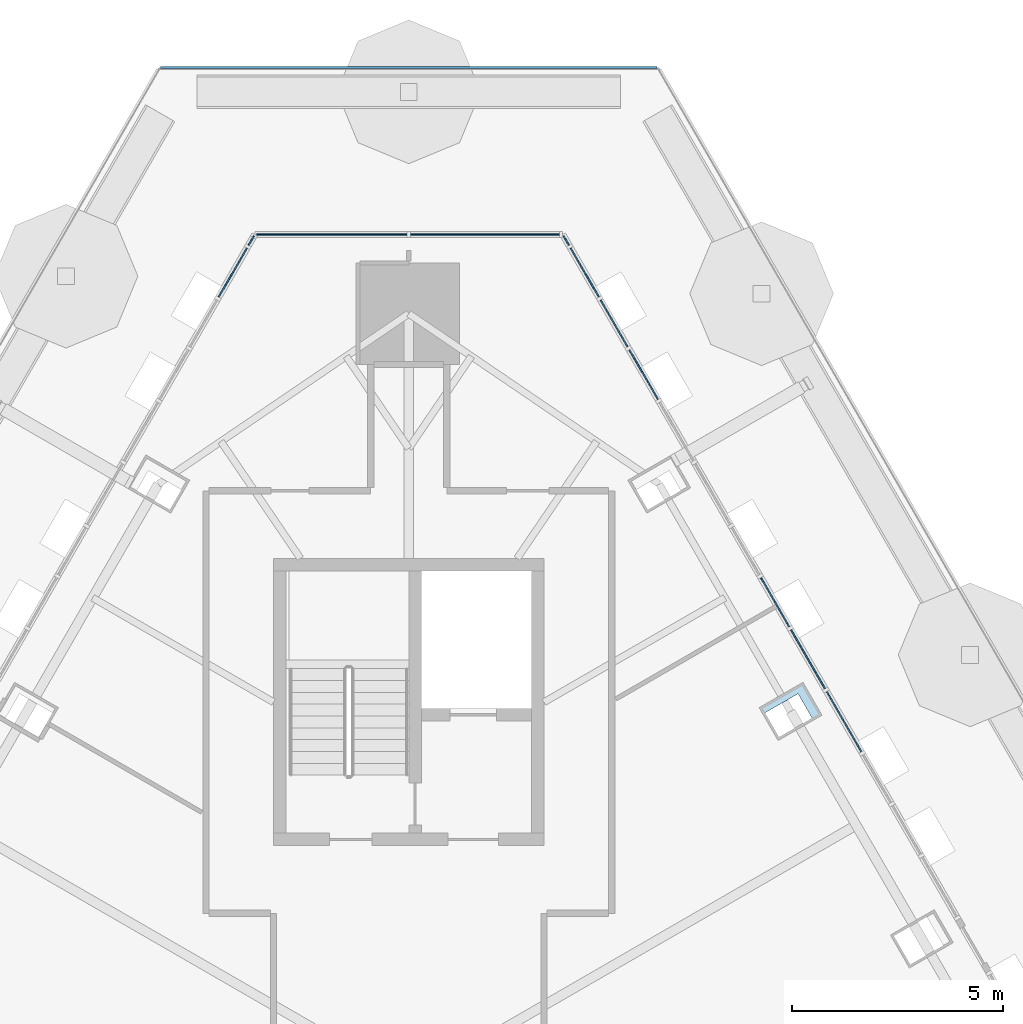
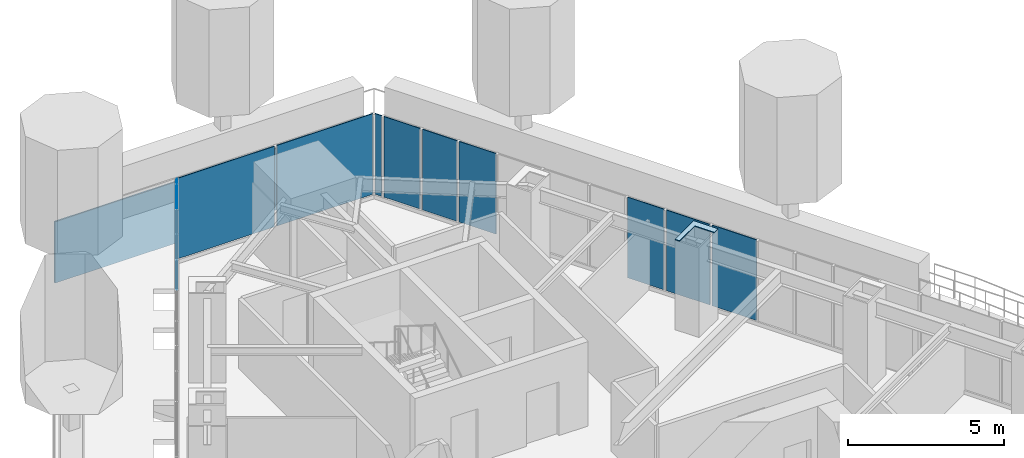
# One storey, part 14 of 22: 13 plates, 3 elements without a shape of their own.
"""IFC4 building model written with IfcOpenShell, lengths in metres."""

from ifc_helpers import new_model, si_unit, direction, frame, origin, place, context, subcontext, project, spatial, polyline, outline, extrude, material, layer, layer_set, type_object, element, aggregate, save


model = new_model("IFC4")

# Units and contexts
model_context = context("Model", 3, precision=1e-05, world=origin(), true_north=direction((0.0, 1.0)))
body_context = subcontext(model_context, "Body", "Model", "MODEL_VIEW")
ifc_project = project(units=[si_unit("LENGTHUNIT", "METRE"), si_unit("AREAUNIT", "SQUARE_METRE"), si_unit("VOLUMEUNIT", "CUBIC_METRE"), si_unit("PLANEANGLEUNIT", "RADIAN"), si_unit("MASSUNIT", "GRAM", prefix="KILO")], contexts=[model_context])

# Site, building, storey
site_placement = place(None, origin())
site = spatial("IfcSite", under=ifc_project, at=site_placement, CompositionType="ELEMENT")
building_placement = place(site_placement, origin())
building = spatial("IfcBuilding", under=site, at=building_placement, Name="Firuza Gate Tower and Library", CompositionType="ELEMENT")
storey_placement = place(building_placement, frame((0.0, 0.0, 295.10009765625)))
storey = spatial("IfcBuildingStorey", under=building, at=storey_placement, Name="L71", CompositionType="ELEMENT", Elevation=295.10009765625)

# Plate
ifc_material_1 = material(Name="Steel S355", Category="steel")
ifc_layer_1 = layer(ifc_material_1, 0.030029296875)
ifc_layer_set_1 = layer_set([ifc_layer_1], Name="Column infill plate 30 Steel S355")
plate_type_1 = type_object("IfcPlateType", Name="Column infill plate 30 Steel S355", PredefinedType="SHEET", material=ifc_layer_set_1)
plate_1_placement = place(storey_placement, frame((0.0, 0.0, 3.5)))
element("IfcPlate", 1, at=plate_1_placement, inside=storey, type_object=plate_type_1, Name="Infill plate L71:E5", PredefinedType="SHEET", context=body_context, shape_type="SweptSolid", body=[
    extrude(outline(polyline([(83.289306640625, 91.067138671875), (83.377197265625, 90.914794921875), (84.211181640625, 91.396240234375), (84.5732421875, 90.769287109375), (84.778564453125, 90.887939453125), (84.32861328125, 91.667236328125), (83.289306640625, 91.067138671875)])), origin(), (0.0, 0.0, 1.0), 0.02978515625),
])

# Curtain wall, plates
ifc_material_2 = material(Name="Aluminium 6063-T6", Category="aluminium")
ifc_layer_2 = layer(ifc_material_2, 0.14990234375)
ifc_layer_set_2 = layer_set([ifc_layer_2], Name="Corner curtain wall, chamfers")
curtain_wall_type_1 = type_object("IfcCurtainWallType", Name="Corner curtain wall, chamfers", PredefinedType="NOTDEFINED", material=ifc_layer_set_2)
placement = place(storey_placement, origin())
curtain_wall_1 = element("IfcCurtainWall", 2, at=placement, inside=storey, type_object=curtain_wall_type_1, Name="CW4 L71 N corner", PredefinedType="NOTDEFINED")
ifc_material_3 = material(Name="Fritted glass", Category="glass")
ifc_layer_3 = layer(ifc_material_3, 0.030029296875)
ifc_layer_set_3 = layer_set([ifc_layer_3], Name="Fritted glass unit, corners")
plate_type_2 = type_object("IfcPlateType", Name="Fritted glass unit, corners", PredefinedType="CURTAIN_PANEL", material=ifc_layer_set_3)
plate_2_placement = place(storey_placement, frame((78.603271484375, 102.279296875, 0.14990234375), z_axis=(0.0, 1.0, 0.0), x_axis=(-1.0, 0.0, 0.0)))
plate_2 = element("IfcPlate", 3, at=plate_2_placement, type_object=plate_type_2, Name="Glass unit", PredefinedType="CURTAIN_PANEL", context=body_context, shape_type="SweptSolid", body=[
    extrude(outline(polyline([(0.0, 0.0), (3.563232421875, 0.0), (3.563232421875, 3.14990234375), (0.0, 3.14990234375), (0.0, 0.0)])), origin(), (0.0, 0.0, -1.0), 0.030029296875),
])
plate_3_placement = place(storey_placement, frame((74.9599609375, 102.279296875, 0.14990234375), z_axis=(0.0, 1.0, 0.0), x_axis=(-1.0, 0.0, 0.0)))
plate_3 = element("IfcPlate", 4, at=plate_3_placement, type_object=plate_type_2, Name="Glass unit", PredefinedType="CURTAIN_PANEL", context=body_context, shape_type="SweptSolid", body=[
    extrude(outline(polyline([(0.0, 0.0), (3.563232421875, 0.0), (3.563232421875, 3.14990234375), (0.0, 3.14990234375), (0.0, 0.0)])), origin(), (0.0, 0.0, -1.0), 0.030029296875),
])
aggregate(curtain_wall_1, [plate_2, plate_3])

ifc_material_4 = material(Name="Aluminium 6063-T6", Category="aluminium")
ifc_layer_4 = layer(ifc_material_4, 0.14990234375)
ifc_layer_set_4 = layer_set([ifc_layer_4], Name="Unitised curtain wall, residences")
curtain_wall_type_2 = type_object("IfcCurtainWallType", Name="Unitised curtain wall, residences", PredefinedType="NOTDEFINED", material=ifc_layer_set_4)
curtain_wall_2 = element("IfcCurtainWall", 5, at=placement, inside=storey, type_object=curtain_wall_type_2, Name="CW3 L71 E face", PredefinedType="NOTDEFINED")
ifc_material_5 = material(Name="Fritted glass", Category="glass")
ifc_layer_5 = layer(ifc_material_5, 0.030029296875)
ifc_layer_set_5 = layer_set([ifc_layer_5], Name="Fritted glass unit, residences")
plate_type_3 = type_object("IfcPlateType", Name="Fritted glass unit, residences", PredefinedType="CURTAIN_PANEL", material=ifc_layer_set_5)
plate_4_placement = place(storey_placement, frame((85.725341796875, 90.02783203125, 0.14990234375), z_axis=(0.866044851585, 0.499966313909, 0.0), x_axis=(-0.499966313909, 0.866044851585, 0.0)))
plate_4 = element("IfcPlate", 6, at=plate_4_placement, type_object=plate_type_3, Name="Glass unit", PredefinedType="CURTAIN_PANEL", context=body_context, shape_type="SweptSolid", body=[
    extrude(outline(polyline([(0.0, 0.0), (1.6465953097185018, 0.0), (1.6465953097185018, 3.14990234375), (0.0, 3.14990234375), (0.0, 0.0)])), origin(), (0.0, 0.0, -1.0), 0.030029296875),
])
plate_5_placement = place(storey_placement, frame((84.862060546875, 91.523193359375, 0.14990234375), z_axis=(0.866003733444, 0.500037532253, 0.0), x_axis=(-0.500037532253, 0.866003733444, 0.0)))
plate_5 = element("IfcPlate", 7, at=plate_5_placement, type_object=plate_type_3, Name="Glass unit", PredefinedType="CURTAIN_PANEL", context=body_context, shape_type="SweptSolid", body=[
    extrude(outline(polyline([(0.0, 0.0), (1.6097424467288448, 0.0), (1.6097424467288448, 3.14990234375), (0.0, 3.14990234375), (0.0, 0.0)])), origin(), (0.0, 0.0, -1.0), 0.030029296875),
])
plate_6_placement = place(storey_placement, frame((79.511962890625, 100.78955078125, 0.14990234375), z_axis=(0.866049104564, 0.499958946799, 0.0), x_axis=(-0.499958946799, 0.866049104564, 0.0)))
plate_6 = element("IfcPlate", 8, at=plate_6_placement, type_object=plate_type_3, Name="Glass unit", PredefinedType="CURTAIN_PANEL", context=body_context, shape_type="SweptSolid", body=[
    extrude(outline(polyline([(0.0, 0.0), (1.3404420901278762, 0.0), (1.3404420901278762, 3.14990234375), (0.0, 3.14990234375), (0.0, 0.0)])), origin(), (0.0, 0.0, -1.0), 0.030029296875),
])

# Curtain wall, plate
curtain_wall_3 = element("IfcCurtainWall", 9, at=placement, inside=storey, type_object=curtain_wall_type_2, Name="CW3 L71 W face", PredefinedType="NOTDEFINED")
plate_7_placement = place(storey_placement, frame((71.158203125, 101.950439453125, 0.14990234375), z_axis=(-0.866049104564, 0.499958946799, 0.0), x_axis=(-0.499958946799, -0.866049104564, 0.0)))
plate_7 = element("IfcPlate", 10, at=plate_7_placement, type_object=plate_type_3, Name="Glass unit", PredefinedType="CURTAIN_PANEL", context=body_context, shape_type="SweptSolid", body=[
    extrude(outline(polyline([(0.0, 0.0), (1.3404420901278762, 0.0), (1.3404420901278762, 3.14990234375), (0.0, 3.14990234375), (0.0, 0.0)])), origin(), (0.0, 0.0, -1.0), 0.030029296875),
])

# Plate
ifc_material_6 = material(Name="Glazed ceramic tile")
ifc_layer_6 = layer(ifc_material_6, 0.030029296875)
ifc_layer_set_6 = layer_set([ifc_layer_6], Name="Opaque ceramic panel, residences")
plate_type_4 = type_object("IfcPlateType", Name="Opaque ceramic panel, residences", PredefinedType="CURTAIN_PANEL", material=ifc_layer_set_6)
plate_8_placement = place(storey_placement, frame((84.01708984375, 92.986572265625, 0.14990234375), z_axis=(0.865985784051, 0.500068617113, 0.0), x_axis=(-0.500068617113, 0.865985784051, 0.0)))
plate_8 = element("IfcPlate", 11, at=plate_8_placement, type_object=plate_type_4, Name="Opaque ceramic panel", PredefinedType="CURTAIN_PANEL", context=body_context, shape_type="SweptSolid", body=[
    extrude(outline(polyline([(0.0, 0.0), (1.343077402562881, 0.0), (1.343077402562881, 3.14990234375), (0.0, 3.14990234375), (0.0, 0.0)])), origin(), (0.0, 0.0, -1.0), 0.030029296875),
])

plate_9_placement = place(storey_placement, frame((80.910400390625, 98.367431640625, 0.14990234375), z_axis=(0.866062633531, 0.499935510643, 0.0), x_axis=(-0.499935510643, 0.866062633531, 0.0)))
plate_9 = element("IfcPlate", 12, at=plate_9_placement, type_object=plate_type_4, Name="Opaque ceramic panel", PredefinedType="CURTAIN_PANEL", context=body_context, shape_type="SweptSolid", body=[
    extrude(outline(polyline([(0.0, 0.0), (1.3556435991684768, 0.0), (1.3556435991684768, 3.14990234375), (0.0, 3.14990234375), (0.0, 0.0)])), origin(), (0.0, 0.0, -1.0), 0.030029296875),
])

plate_10_placement = place(storey_placement, frame((80.192626953125, 99.610595703125, 0.14990234375), z_axis=(0.866077727632, 0.499909361484, 0.0), x_axis=(-0.499909361484, 0.866077727632, 0.0)))
plate_10 = element("IfcPlate", 13, at=plate_10_placement, type_object=plate_type_4, Name="Opaque ceramic panel", PredefinedType="CURTAIN_PANEL", context=body_context, shape_type="SweptSolid", body=[
    extrude(outline(polyline([(0.0, 0.0), (1.2814823033081717, 0.0), (1.2814823033081717, 3.14990234375), (0.0, 3.14990234375), (0.0, 0.0)])), origin(), (0.0, 0.0, -1.0), 0.030029296875),
])

plate_11_placement = place(storey_placement, frame((78.802001953125, 102.019775390625, 0.14990234375), z_axis=(0.865780878536, 0.500423291185, 0.0), x_axis=(-0.500423291185, 0.865780878536, 0.0)))
plate_11 = element("IfcPlate", 14, at=plate_11_placement, type_object=plate_type_4, Name="Opaque ceramic panel", PredefinedType="CURTAIN_PANEL", context=body_context, shape_type="SweptSolid", body=[
    extrude(outline(polyline([(0.0, 0.0), (0.2512521381192305, 0.0), (0.2512521381192305, 3.14990234375), (0.0, 3.14990234375), (0.0, 0.0)])), origin(), (0.0, 0.0, -1.0), 0.030029296875),
])

aggregate(curtain_wall_2, [plate_4, plate_5, plate_8, plate_9, plate_10, plate_6, plate_11])

plate_12_placement = place(storey_placement, frame((71.32373046875, 102.2373046875, 0.14990234375), z_axis=(-0.865780878536, 0.500423291185, 0.0), x_axis=(-0.500423291185, -0.865780878536, 0.0)))
plate_12 = element("IfcPlate", 15, at=plate_12_placement, type_object=plate_type_4, Name="Opaque ceramic panel", PredefinedType="CURTAIN_PANEL", context=body_context, shape_type="SweptSolid", body=[
    extrude(outline(polyline([(0.0, 0.0), (0.2512521381192305, 0.0), (0.2512521381192305, 3.14990234375), (0.0, 3.14990234375), (0.0, 0.0)])), origin(), (0.0, 0.0, -1.0), 0.030029296875),
])

aggregate(curtain_wall_3, [plate_12, plate_7])

ifc_material_7 = material(Name="Aluminium 6063-T6", Category="aluminium")
ifc_layer_7 = layer(ifc_material_7, 0.050048828125)
ifc_layer_set_7 = layer_set([ifc_layer_7], Name="Tray fascia panel 50")
plate_type_5 = type_object("IfcPlateType", Name="Tray fascia panel 50", PredefinedType="SHEET", material=ifc_layer_set_7)
plate_13_placement = place(storey_placement, frame((80.87890625, 106.239013671875, -2.400146484375), z_axis=(0.0, 1.0, 0.0), x_axis=(-1.0, 0.0, 0.0)))
element("IfcPlate", 16, at=plate_13_placement, inside=storey, type_object=plate_type_5, Name="Tray fascia L71 2", PredefinedType="SHEET", context=body_context, shape_type="SweptSolid", body=[
    extrude(outline(polyline([(0.0, 0.0), (11.7578125, 0.0), (11.7578125, 2.400146484375), (0.0, 2.400146484375), (0.0, 0.0)])), origin(), (0.0, 0.0, -1.0), 0.050048828125),
])

save(model, "model.ifc")
